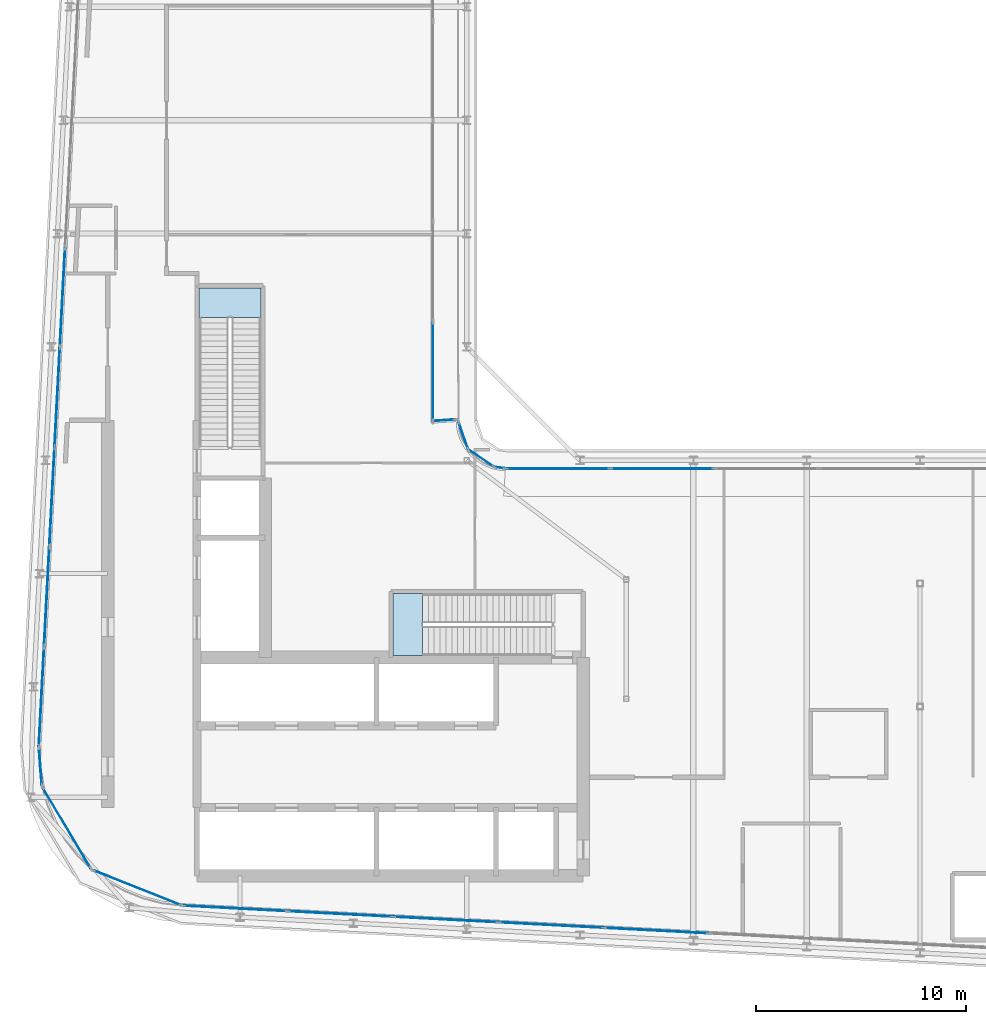
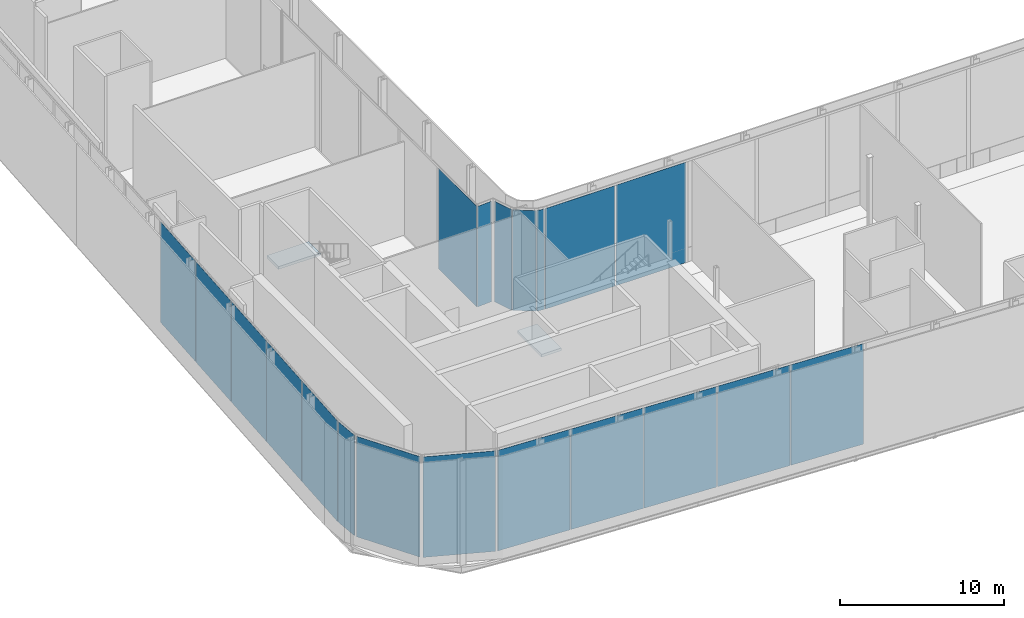
# One storey, part 15 of 27: 20 plates, 2 slabs, 13 elements without a shape of their own.
"""IFC4 building model written with IfcOpenShell, lengths in metres."""

from ifc_helpers import new_model, si_unit, direction, frame, origin, origin_2d, place, context, subcontext, project, spatial, polyline, rectangle, outline, extrude, material, layer, layer_set, type_object, element, aggregate, save


model = new_model("IFC4")

# Units and contexts
model_context = context("Model", 3, precision=1e-05, world=origin(), true_north=direction((0.0, 1.0)))
body_context = subcontext(model_context, "Body", "Model", "MODEL_VIEW")
ifc_project = project(units=[si_unit("LENGTHUNIT", "METRE"), si_unit("AREAUNIT", "SQUARE_METRE"), si_unit("VOLUMEUNIT", "CUBIC_METRE"), si_unit("PLANEANGLEUNIT", "RADIAN"), si_unit("MASSUNIT", "GRAM", prefix="KILO")], contexts=[model_context])

# Site, building, storey
site_placement = place(None, origin())
site = spatial("IfcSite", under=ifc_project, at=site_placement, CompositionType="ELEMENT")
building_placement = place(site_placement, origin())
building = spatial("IfcBuilding", under=site, at=building_placement, Name="Kheshtan School and Residences Tower", CompositionType="ELEMENT")
storey_placement = place(building_placement, frame((0.0, 0.0, 266.89990234375)))
storey = spatial("IfcBuildingStorey", under=building, at=storey_placement, Name="L63", CompositionType="ELEMENT", Elevation=266.89990234375)

# Curtain wall, plate
ifc_material_1 = material(Name="Clear low-e glass in thermally broken aluminium frame", Category="aluminium")
ifc_layer_1 = layer(ifc_material_1, 0.25)
ifc_layer_set_1 = layer_set([ifc_layer_1], Name="Curtain wall CW-G")
curtain_wall_type_1 = type_object("IfcCurtainWallType", Name="Curtain wall CW-G", PredefinedType="NOTDEFINED", material=ifc_layer_set_1)
curtain_wall_1_placement = place(storey_placement, origin())
curtain_wall_1 = element("IfcCurtainWall", 1, at=curtain_wall_1_placement, inside=storey, type_object=curtain_wall_type_1, Name="Curtain wall CWG19c", PredefinedType="NOTDEFINED")
ifc_layer_2 = layer(ifc_material_1, 0.0380859375)
ifc_layer_set_2 = layer_set([ifc_layer_2], Name="CW-G glass panel")
plate_type_1 = type_object("IfcPlateType", Name="CW-G glass panel", PredefinedType="CURTAIN_PANEL", material=ifc_layer_set_2)
plate_1_placement = place(storey_placement, frame((46.0, 49.83203125, 0.0), z_axis=(0.0, 0.0, 1.0), x_axis=(0.0, -1.0, 0.0)))
plate_1 = element("IfcPlate", 2, at=plate_1_placement, type_object=plate_type_1, Name="CWG19c panel 5.1", PredefinedType="CURTAIN_PANEL", context=body_context, shape_type="SweptSolid", body=[
    extrude(rectangle(XDim=4.68408203125, YDim=0.0380859375, at=origin_2d()), origin(), (0.0, 0.0, 1.0), 7.489990234375),
])
aggregate(curtain_wall_1, [plate_1])

# Curtain wall, plates
ifc_layer_3 = layer(ifc_material_1, 0.25)
ifc_layer_set_3 = layer_set([ifc_layer_3], Name="Curtain wall CW-K")
curtain_wall_type_2 = type_object("IfcCurtainWallType", Name="Curtain wall CW-K", PredefinedType="NOTDEFINED", material=ifc_layer_set_3)
curtain_wall_2_placement = place(storey_placement, origin())
curtain_wall_2 = element("IfcCurtainWall", 3, at=curtain_wall_2_placement, inside=storey, type_object=curtain_wall_type_2, Name="Curtain wall CWK6a", PredefinedType="NOTDEFINED")
ifc_layer_4 = layer(ifc_material_1, 0.0380859375)
ifc_layer_set_4 = layer_set([ifc_layer_4], Name="CW-K glass panel")
plate_type_2 = type_object("IfcPlateType", Name="CW-K glass panel", PredefinedType="CURTAIN_PANEL", material=ifc_layer_set_4)
plate_2_placement = place(storey_placement, frame((56.63818359375, 23.188720703125, 0.0), z_axis=(0.0, 0.0, 1.0), x_axis=(-0.998617444424, 0.052566145875, 0.0)))
plate_2 = element("IfcPlate", 4, at=plate_2_placement, type_object=plate_type_2, Name="CWK6a panel 6.1", PredefinedType="CURTAIN_PANEL", context=body_context, shape_type="SweptSolid", body=[
    extrude(rectangle(XDim=4.964111328125, YDim=0.0380859375, at=origin_2d()), origin(), (0.0, 0.0, 1.0), 7.489990234375),
])
plate_3_placement = place(storey_placement, frame((51.620849609375, 23.452880859375, 0.0), z_axis=(0.0, 0.0, 1.0), x_axis=(-0.998617444424, 0.052566145875, 0.0)))
plate_3 = element("IfcPlate", 5, at=plate_3_placement, type_object=plate_type_2, Name="CWK6a panel 7.1", PredefinedType="CURTAIN_PANEL", context=body_context, shape_type="SweptSolid", body=[
    extrude(rectangle(XDim=4.964111328125, YDim=0.0380859375, at=origin_2d()), origin(), (0.0, 0.0, 1.0), 7.489990234375),
])
plate_4_placement = place(storey_placement, frame((46.603759765625, 23.716796875, 0.0), z_axis=(0.0, 0.0, 1.0), x_axis=(-0.998617444424, 0.052566145875, 0.0)))
plate_4 = element("IfcPlate", 6, at=plate_4_placement, type_object=plate_type_2, Name="CWK6a panel 8.1", PredefinedType="CURTAIN_PANEL", context=body_context, shape_type="SweptSolid", body=[
    extrude(rectangle(XDim=4.964111328125, YDim=0.0380859375, at=origin_2d()), origin(), (0.0, 0.0, 1.0), 7.489990234375),
])
plate_5_placement = place(storey_placement, frame((41.58642578125, 23.98095703125, 0.0), z_axis=(0.0, 0.0, 1.0), x_axis=(-0.998617444424, 0.052566145875, 0.0)))
plate_5 = element("IfcPlate", 7, at=plate_5_placement, type_object=plate_type_2, Name="CWK6a panel 9.1", PredefinedType="CURTAIN_PANEL", context=body_context, shape_type="SweptSolid", body=[
    extrude(rectangle(XDim=4.964111328125, YDim=0.0380859375, at=origin_2d()), origin(), (0.0, 0.0, 1.0), 7.489990234375),
])
plate_6_placement = place(storey_placement, frame((36.584228515625, 24.244384765625, 0.0), z_axis=(0.0, 0.0, 1.0), x_axis=(-0.998617444424, 0.052566145875, 0.0)))
plate_6 = element("IfcPlate", 8, at=plate_6_placement, type_object=plate_type_2, Name="CWK6a panel 10.1", PredefinedType="CURTAIN_PANEL", context=body_context, shape_type="SweptSolid", body=[
    extrude(rectangle(XDim=4.93408203125, YDim=0.0380859375, at=origin_2d()), origin(), (0.0, 0.0, 1.0), 7.489990234375),
])
aggregate(curtain_wall_2, [plate_2, plate_3, plate_4, plate_5, plate_6])

# Curtain wall, plate
curtain_wall_3_placement = place(storey_placement, origin())
curtain_wall_3 = element("IfcCurtainWall", 9, at=curtain_wall_3_placement, inside=storey, type_object=curtain_wall_type_2, Name="Curtain wall CWK7a", PredefinedType="NOTDEFINED")
plate_7_placement = place(storey_placement, frame((31.89501953125, 25.2314453125, 0.0), z_axis=(0.0, 0.0, 1.0), x_axis=(-0.929389950531, 0.369099336022, 0.0)))
plate_7 = element("IfcPlate", 10, at=plate_7_placement, type_object=plate_type_2, Name="CWK7a panel 1.1", PredefinedType="CURTAIN_PANEL", context=body_context, shape_type="SweptSolid", body=[
    extrude(rectangle(XDim=4.47216796875, YDim=0.0380859375, at=origin_2d()), origin(), (0.0, 0.0, 1.0), 7.489990234375),
])
aggregate(curtain_wall_3, [plate_7])

curtain_wall_4_placement = place(storey_placement, origin())
curtain_wall_4 = element("IfcCurtainWall", 11, at=curtain_wall_4_placement, inside=storey, type_object=curtain_wall_type_2, Name="Curtain wall CWK8a", PredefinedType="NOTDEFINED")
plate_8_placement = place(storey_placement, frame((28.546142578125, 28.081787109375, 0.0), z_axis=(0.0, 0.0, 1.0), x_axis=(-0.511075392878, 0.85953588802, 0.0)))
plate_8 = element("IfcPlate", 12, at=plate_8_placement, type_object=plate_type_2, Name="CWK8a panel 1.1", PredefinedType="CURTAIN_PANEL", context=body_context, shape_type="SweptSolid", body=[
    extrude(rectangle(XDim=4.44287109375, YDim=0.0380859375, at=origin_2d()), origin(), (0.0, 0.0, 1.0), 7.489990234375),
])
aggregate(curtain_wall_4, [plate_8])

curtain_wall_5_placement = place(storey_placement, origin())
curtain_wall_5 = element("IfcCurtainWall", 13, at=curtain_wall_5_placement, inside=storey, type_object=curtain_wall_type_2, Name="Curtain wall CWK9a", PredefinedType="NOTDEFINED")
plate_9_placement = place(storey_placement, frame((27.293212890625, 31.024658203125, 0.0), z_axis=(0.0, 0.0, 1.0), x_axis=(-0.077549452299, 0.996988506678, 0.0)))
plate_9 = element("IfcPlate", 14, at=plate_9_placement, type_object=plate_type_2, Name="CWK9a panel 1.1", PredefinedType="CURTAIN_PANEL", context=body_context, shape_type="SweptSolid", body=[
    extrude(rectangle(XDim=1.7626953125, YDim=0.0380859375, at=origin_2d()), origin(), (0.0, 0.0, 1.0), 7.489990234375),
])
aggregate(curtain_wall_5, [plate_9])

# Curtain wall, plates
curtain_wall_6_placement = place(storey_placement, origin())
curtain_wall_6 = element("IfcCurtainWall", 15, at=curtain_wall_6_placement, inside=storey, type_object=curtain_wall_type_2, Name="Curtain wall CWK10a", PredefinedType="NOTDEFINED")
plate_10_placement = place(storey_placement, frame((27.343994140625, 34.3310546875, 0.0), z_axis=(0.0, 0.0, 1.0), x_axis=(0.05256513568, 0.998617497599, 0.0)))
plate_10 = element("IfcPlate", 16, at=plate_10_placement, type_object=plate_type_2, Name="CWK10a panel 1.1", PredefinedType="CURTAIN_PANEL", context=body_context, shape_type="SweptSolid", body=[
    extrude(rectangle(XDim=4.741455078125, YDim=0.0380859375, at=origin_2d()), origin(), (0.0, 0.0, 1.0), 7.489990234375),
])
plate_11_placement = place(storey_placement, frame((27.595458984375, 39.1044921875, 0.0), z_axis=(0.0, 0.0, 1.0), x_axis=(0.05256513568, 0.998617497599, 0.0)))
plate_11 = element("IfcPlate", 17, at=plate_11_placement, type_object=plate_type_2, Name="CWK10a panel 2.1", PredefinedType="CURTAIN_PANEL", context=body_context, shape_type="SweptSolid", body=[
    extrude(rectangle(XDim=4.69873046875, YDim=0.0380859375, at=origin_2d()), origin(), (0.0, 0.0, 1.0), 7.489990234375),
])
plate_12_placement = place(storey_placement, frame((27.845458984375, 43.856689453125, 0.0), z_axis=(0.0, 0.0, 1.0), x_axis=(0.05256513568, 0.998617497599, 0.0)))
plate_12 = element("IfcPlate", 18, at=plate_12_placement, type_object=plate_type_2, Name="CWK10a panel 3.1", PredefinedType="CURTAIN_PANEL", context=body_context, shape_type="SweptSolid", body=[
    extrude(rectangle(XDim=4.69873046875, YDim=0.0380859375, at=origin_2d()), origin(), (0.0, 0.0, 1.0), 7.489990234375),
])
plate_13_placement = place(storey_placement, frame((28.095703125, 48.608642578125, 0.0), z_axis=(0.0, 0.0, 1.0), x_axis=(0.05256513568, 0.998617497599, 0.0)))
plate_13 = element("IfcPlate", 19, at=plate_13_placement, type_object=plate_type_2, Name="CWK10a panel 4.1", PredefinedType="CURTAIN_PANEL", context=body_context, shape_type="SweptSolid", body=[
    extrude(rectangle(XDim=4.69873046875, YDim=0.0380859375, at=origin_2d()), origin(), (0.0, 0.0, 1.0), 7.489990234375),
])
plate_14_placement = place(storey_placement, frame((28.345703125, 53.36083984375, 0.0), z_axis=(0.0, 0.0, 1.0), x_axis=(0.05256513568, 0.998617497599, 0.0)))
plate_14 = element("IfcPlate", 20, at=plate_14_placement, type_object=plate_type_2, Name="CWK10a panel 5.1", PredefinedType="CURTAIN_PANEL", context=body_context, shape_type="SweptSolid", body=[
    extrude(rectangle(XDim=4.69873046875, YDim=0.0380859375, at=origin_2d()), origin(), (0.0, 0.0, 1.0), 7.489990234375),
])
aggregate(curtain_wall_6, [plate_10, plate_11, plate_12, plate_13, plate_14])

# Curtain wall, plate
curtain_wall_7_placement = place(storey_placement, origin())
curtain_wall_7 = element("IfcCurtainWall", 21, at=curtain_wall_7_placement, inside=storey, type_object=curtain_wall_type_2, Name="Curtain wall CWK20a", PredefinedType="NOTDEFINED")
plate_15_placement = place(storey_placement, frame((46.532470703125, 47.502685546875, 0.0), z_axis=(0.0, 0.0, 1.0), x_axis=(0.997829199352, 0.065855059944, 0.0)))
plate_15 = element("IfcPlate", 22, at=plate_15_placement, type_object=plate_type_2, Name="CWK20a panel 1.1", PredefinedType="CURTAIN_PANEL", context=body_context, shape_type="SweptSolid", body=[
    extrude(rectangle(XDim=1.00830078125, YDim=0.0380859375, at=origin_2d()), origin(), (0.0, 0.0, 1.0), 7.489990234375),
])
aggregate(curtain_wall_7, [plate_15])

curtain_wall_8_placement = place(storey_placement, origin())
curtain_wall_8 = element("IfcCurtainWall", 23, at=curtain_wall_8_placement, inside=storey, type_object=curtain_wall_type_2, Name="Curtain wall CWK21a", PredefinedType="NOTDEFINED")
plate_16_placement = place(storey_placement, frame((47.4423828125, 46.772705078125, 0.0), z_axis=(0.0, 0.0, 1.0), x_axis=(0.331340177841, -0.943511360053, 0.0)))
plate_16 = element("IfcPlate", 24, at=plate_16_placement, type_object=plate_type_2, Name="CWK21a panel 1.1", PredefinedType="CURTAIN_PANEL", context=body_context, shape_type="SweptSolid", body=[
    extrude(rectangle(XDim=1.364990234375, YDim=0.0380859375, at=origin_2d()), origin(), (0.0, 0.0, 1.0), 7.489990234375),
])
aggregate(curtain_wall_8, [plate_16])

curtain_wall_9_placement = place(storey_placement, origin())
curtain_wall_9 = element("IfcCurtainWall", 25, at=curtain_wall_9_placement, inside=storey, type_object=curtain_wall_type_2, Name="Curtain wall CWK22a", PredefinedType="NOTDEFINED")
plate_17_placement = place(storey_placement, frame((48.294677734375, 45.69091796875, 0.0), z_axis=(0.0, 0.0, 1.0), x_axis=(0.831352904033, -0.555744859586, 0.0)))
plate_17 = element("IfcPlate", 26, at=plate_17_placement, type_object=plate_type_2, Name="CWK22a panel 1.1", PredefinedType="CURTAIN_PANEL", context=body_context, shape_type="SweptSolid", body=[
    extrude(rectangle(XDim=1.419677734375, YDim=0.0380859375, at=origin_2d()), origin(), (0.0, 0.0, 1.0), 7.489990234375),
])
aggregate(curtain_wall_9, [plate_17])

curtain_wall_10_placement = place(storey_placement, origin())
curtain_wall_10 = element("IfcCurtainWall", 27, at=curtain_wall_10_placement, inside=storey, type_object=curtain_wall_type_2, Name="Curtain wall CWK23a", PredefinedType="NOTDEFINED")
plate_18_placement = place(storey_placement, frame((49.180908203125, 45.239990234375, 0.0), z_axis=(0.0, 0.0, 1.0), x_axis=(0.99093208818, -0.134363672971, 0.0)))
plate_18 = element("IfcPlate", 28, at=plate_18_placement, type_object=plate_type_2, Name="CWK23a panel 1.1", PredefinedType="CURTAIN_PANEL", context=body_context, shape_type="SweptSolid", body=[
    extrude(rectangle(XDim=0.488525390625, YDim=0.0380859375, at=origin_2d()), origin(), (0.0, 0.0, 1.0), 7.489990234375),
])
aggregate(curtain_wall_10, [plate_18])

# Curtain wall, plates
curtain_wall_11_placement = place(storey_placement, origin())
curtain_wall_11 = element("IfcCurtainWall", 29, at=curtain_wall_11_placement, inside=storey, type_object=curtain_wall_type_2, Name="Curtain wall CWK24a", PredefinedType="NOTDEFINED")
plate_19_placement = place(storey_placement, frame((51.946533203125, 45.199951171875, 0.0), z_axis=(0.0, 0.0, 1.0), x_axis=(1.0, 0.0, 0.0)))
plate_19 = element("IfcPlate", 30, at=plate_19_placement, type_object=plate_type_2, Name="CWK24a panel 1.1", PredefinedType="CURTAIN_PANEL", context=body_context, shape_type="SweptSolid", body=[
    extrude(rectangle(XDim=4.927978515625, YDim=0.0380859375, at=origin_2d()), origin(), (0.0, 0.0, 1.0), 7.489990234375),
])
plate_20_placement = place(storey_placement, frame((56.92626953125, 45.199951171875, 0.0), z_axis=(0.0, 0.0, 1.0), x_axis=(1.0, 0.0, 0.0)))
plate_20 = element("IfcPlate", 31, at=plate_20_placement, type_object=plate_type_2, Name="CWK24a panel 2.1", PredefinedType="CURTAIN_PANEL", context=body_context, shape_type="SweptSolid", body=[
    extrude(rectangle(XDim=4.91162109375, YDim=0.0380859375, at=origin_2d()), origin(), (0.0, 0.0, 1.0), 7.489990234375),
])
aggregate(curtain_wall_11, [plate_19, plate_20])

# Stair, slab
ifc_material_2 = material(Name="Concrete C40/50", Category="concrete")
stair_type = type_object("IfcStairType", Name="Exit stair, half-turn", PredefinedType="HALF_TURN_STAIR", material=ifc_material_2)
stair_1_placement = place(storey_placement, origin())
stair_1 = element("IfcStair", 32, at=stair_1_placement, inside=storey, type_object=stair_type, Name="L63 Protected Exit Stair ST1", PredefinedType="HALF_TURN_STAIR")
ifc_layer_5 = layer(ifc_material_2, 0.199951171875)
ifc_layer_set_5 = layer_set([ifc_layer_5], Name="Stair landing 200 Concrete C40/50")
slab_type = type_object("IfcSlabType", Name="Stair landing 200 Concrete C40/50", PredefinedType="LANDING", material=ifc_layer_set_5)
slab_1_placement = place(storey_placement, frame((0.0, 0.0, 3.7001953125)))
slab_1 = element("IfcSlab", 33, at=slab_1_placement, type_object=slab_type, Name="ST1 landing 1", PredefinedType="LANDING", context=body_context, shape_type="SweptSolid", body=[
    extrude(outline(polyline([(45.489990234375, 39.25), (44.090087890625, 39.25), (44.090087890625, 36.300048828125), (45.489990234375, 36.300048828125), (45.489990234375, 39.25)])), origin(), (0.0, 0.0, 1.0), 0.199951171875),
])
aggregate(stair_1, [slab_1])

stair_2_placement = place(storey_placement, origin())
stair_2 = element("IfcStair", 34, at=stair_2_placement, inside=storey, type_object=stair_type, Name="L63 Protected Exit Stair ST2", PredefinedType="HALF_TURN_STAIR")
slab_2_placement = place(storey_placement, frame((0.0, 0.0, 3.7001953125)))
slab_2 = element("IfcSlab", 35, at=slab_2_placement, type_object=slab_type, Name="ST2 landing 1", PredefinedType="LANDING", context=body_context, shape_type="SweptSolid", body=[
    extrude(outline(polyline([(37.800048828125, 52.409912109375), (37.800048828125, 53.81005859375), (34.85009765625, 53.81005859375), (34.85009765625, 52.409912109375), (37.800048828125, 52.409912109375)])), origin(), (0.0, 0.0, 1.0), 0.199951171875),
])
aggregate(stair_2, [slab_2])

save(model, "model.ifc")
